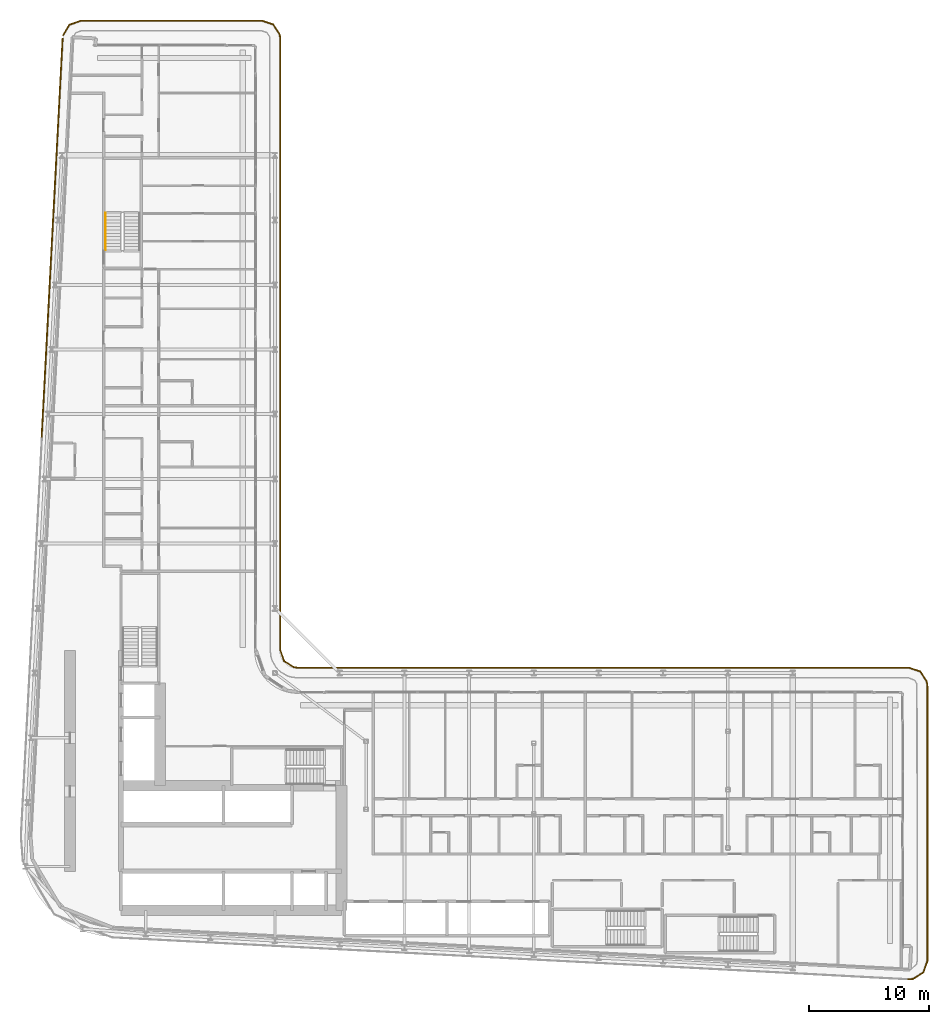
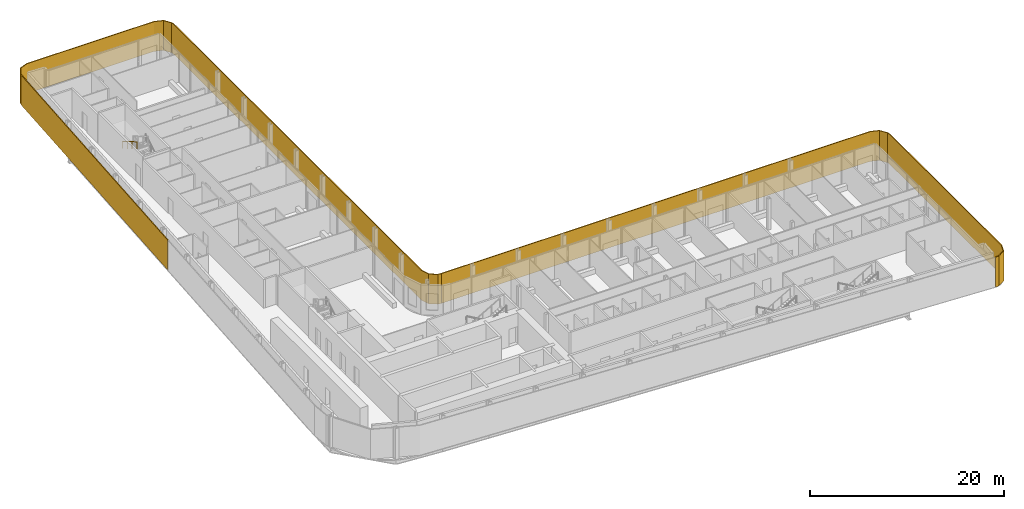
# One storey, part 26 of 28: 3 shading devices, 1 railing.
"""IFC4 building model written with IfcOpenShell, lengths in metres."""

from ifc_helpers import new_model, si_unit, direction, frame, origin, origin_2d, place, context, subcontext, project, spatial, polyline, rectangle, circle, outline, extrude, material, layer, layer_set, type_object, element, save


model = new_model("IFC4")

# Units and contexts
model_context = context("Model", 3, precision=1e-05, world=origin(), true_north=direction((0.0, 1.0)))
body_context = subcontext(model_context, "Body", "Model", "MODEL_VIEW")
ifc_project = project(units=[si_unit("LENGTHUNIT", "METRE"), si_unit("AREAUNIT", "SQUARE_METRE"), si_unit("VOLUMEUNIT", "CUBIC_METRE"), si_unit("PLANEANGLEUNIT", "RADIAN"), si_unit("MASSUNIT", "GRAM", prefix="KILO")], contexts=[model_context])

# Site, building, storey
site_placement = place(None, origin())
site = spatial("IfcSite", under=ifc_project, at=site_placement, CompositionType="ELEMENT")
building_placement = place(site_placement, origin())
building = spatial("IfcBuilding", under=site, at=building_placement, Name="Kheshtan School and Residences Tower", CompositionType="ELEMENT")
storey_placement = place(building_placement, frame((0.0, 0.0, 140.89990234375)))
storey = spatial("IfcBuildingStorey", under=building, at=storey_placement, Name="L33", CompositionType="ELEMENT", Elevation=140.89990234375)

# Shading devices
ifc_material_1 = material(Name="Terracotta baguette, extruded ceramic", Category="masonry")
ifc_layer_1 = layer(ifc_material_1, 0.10009765625)
ifc_layer_set_1 = layer_set([ifc_layer_1], Name="Ledge screen, terracotta baguettes")
shading_device_type_1 = type_object("IfcShadingDeviceType", Name="Ledge screen, terracotta baguettes", PredefinedType="USERDEFINED", material=ifc_layer_set_1)
shading_device_1_placement = place(storey_placement, frame((28.9990234375, 81.93408203125, 0.0), z_axis=(0.0, 0.0, 1.0), x_axis=(0.052562536748, 0.998617634398, 0.0)))
element("IfcShadingDevice", 1, at=shading_device_1_placement, inside=storey, type_object=shading_device_type_1, Name="Screen L33 5", ObjectType="BAGUETTE", PredefinedType="USERDEFINED", context=body_context, shape_type="SweptSolid", body=[
    extrude(rectangle(XDim=33.341064453125, YDim=0.10009765625, at=origin_2d()), origin(), (0.0, 0.0, 1.0), 3.75),
])
ifc_material_2 = material(Name="Terracotta lattice, extruded ceramic", Category="masonry")
ifc_layer_2 = layer(ifc_material_2, 0.10009765625)
ifc_layer_set_2 = layer_set([ifc_layer_2], Name="Loggia screen, terracotta lattice")
shading_device_type_2 = type_object("IfcShadingDeviceType", Name="Loggia screen, terracotta lattice", PredefinedType="USERDEFINED", material=ifc_layer_set_2)
shading_device_2_placement = place(storey_placement, origin())
element("IfcShadingDevice", 2, at=shading_device_2_placement, inside=storey, type_object=shading_device_type_2, Name="Screen L33 1", ObjectType="SCREEN", PredefinedType="USERDEFINED", context=body_context, shape_type="SweptSolid", body=[
    extrude(outline(polyline([(29.949951171875, 98.783935546875), (30.468017578125, 99.656982421875), (31.423095703125, 100.0), (46.5, 100.0), (47.4130859375, 99.68994140625), (47.948974609375, 98.887939453125), (48.0, 98.5), (48.0, 47.5), (48.31005859375, 46.5869140625), (49.112060546875, 46.051025390625), (49.5, 46.0), (49.512939453125, 46.09912109375), (49.14794921875, 46.14697265625), (48.39404296875, 46.65087890625), (48.10009765625, 47.51708984375), (48.10009765625, 98.507080078125), (48.044921875, 98.924072265625), (47.47705078125, 99.77392578125), (46.51708984375, 100.10009765625), (31.406005859375, 100.10009765625), (30.39990234375, 99.739013671875), (29.864013671875, 98.8349609375), (29.949951171875, 98.783935546875)])), origin(), (0.0, 0.0, 1.0), 3.75),
])
shading_device_3_placement = place(storey_placement, origin())
element("IfcShadingDevice", 3, at=shading_device_3_placement, inside=storey, type_object=shading_device_type_2, Name="Screen L33 2", ObjectType="SCREEN", PredefinedType="USERDEFINED", context=body_context, shape_type="SweptSolid", body=[
    extrude(outline(polyline([(49.5, 46.0), (100.5, 46.0), (101.4130859375, 45.68994140625), (101.948974609375, 44.887939453125), (102.0, 44.5), (102.0, 21.5810546875), (101.669921875, 20.64208984375), (100.823974609375, 20.116943359375), (100.4208984375, 20.0830078125), (100.428955078125, 19.98291015625), (100.85595703125, 20.01904296875), (101.7529296875, 20.575927734375), (102.10009765625, 21.56396484375), (102.10009765625, 44.507080078125), (102.044921875, 44.924072265625), (101.47705078125, 45.77392578125), (100.51708984375, 46.10009765625), (49.5, 46.10009765625), (49.5, 46.0)])), origin(), (0.0, 0.0, 1.0), 3.75),
])

# Railing
ifc_material_3 = material(Name="Stainless steel handrail", Category="steel")
railing_type = type_object("IfcRailingType", Name="Stair handrail 900", PredefinedType="HANDRAIL", material=ifc_material_3)
railing_placement = place(storey_placement, frame((33.449951171875, 83.97998046875, 2.112548828125)))
element("IfcRailing", 4, at=railing_placement, inside=storey, type_object=railing_type, Name="L33 ST3 stair handrail 2", PredefinedType="HANDRAIL", context=body_context, shape_type="SweptSolid", body=[
    extrude(circle(Radius=0.02392578125, at=origin_2d()), frame((0.0, 0.0, 0.8759765625), z_axis=(0.0, -0.864890721111, 0.501960198159), x_axis=(1.0, 0.0, 0.0)), (0.0, 0.0, 1.0), 3.561279296875),
    extrude(circle(Radius=0.02099609375, at=origin_2d()), origin(), (0.0, 0.0, 1.0), 0.851806640625),
    extrude(circle(Radius=0.02099609375, at=origin_2d()), frame((0.0, -1.026611328125, 0.595947265625)), (0.0, 0.0, 1.0), 0.851806640625),
    extrude(circle(Radius=0.02099609375, at=origin_2d()), frame((0.0, -2.053466796875, 1.191650390625)), (0.0, 0.0, 1.0), 0.851806640625),
    extrude(circle(Radius=0.02099609375, at=origin_2d()), frame((0.0, -3.080078125, 1.78759765625)), (0.0, 0.0, 1.0), 0.851806640625),
])

save(model, "model.ifc")
